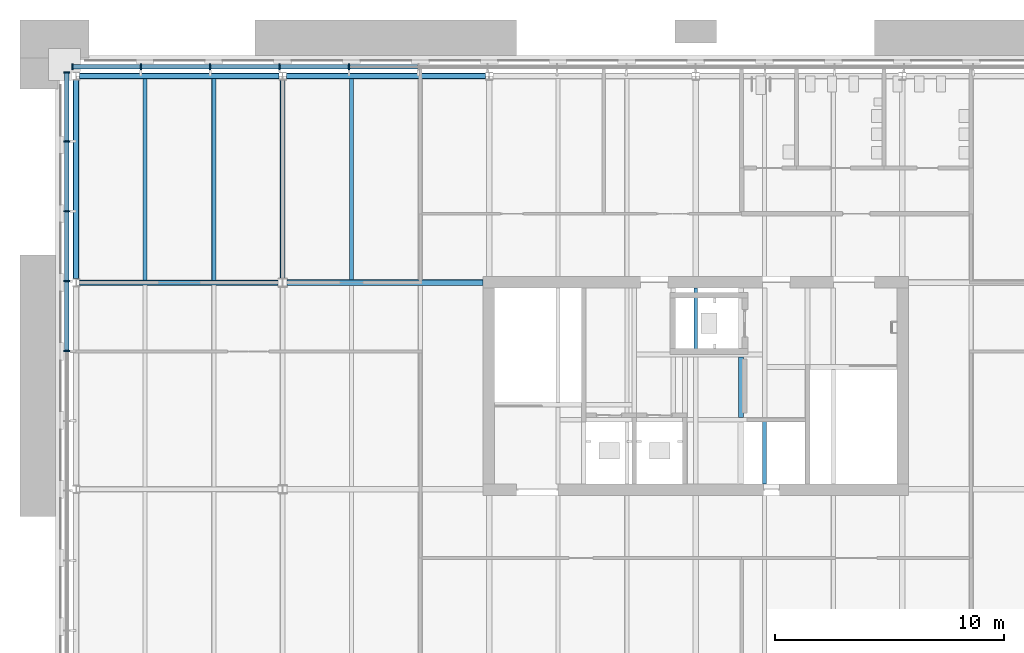
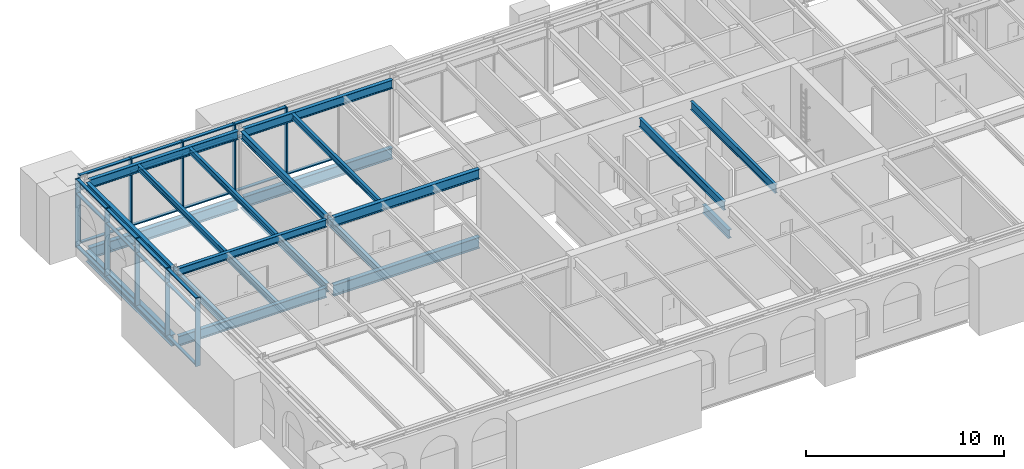
# One storey, part 5 of 24: 35 members, 21 beams, 2 elements without a shape of their own.
"""IFC4 building model written with IfcOpenShell, lengths in metres."""

from ifc_helpers import new_model, si_unit, direction, frame, origin, origin_2d, place, context, subcontext, project, spatial, rectangle, i_section, extrude, material, material_profile, profile_set, type_object, element, aggregate, save


model = new_model("IFC4")

# Units and contexts
model_context = context("Model", 3, precision=1e-05, world=origin(), true_north=direction((0.0, 1.0)))
body_context = subcontext(model_context, "Body", "Model", "MODEL_VIEW")
ifc_project = project(units=[si_unit("LENGTHUNIT", "METRE"), si_unit("AREAUNIT", "SQUARE_METRE"), si_unit("VOLUMEUNIT", "CUBIC_METRE"), si_unit("PLANEANGLEUNIT", "RADIAN"), si_unit("MASSUNIT", "GRAM", prefix="KILO")], contexts=[model_context])

# Site, building, storey
site_placement = place(None, origin())
site = spatial("IfcSite", under=ifc_project, at=site_placement, CompositionType="ELEMENT")
building_placement = place(site_placement, origin())
building = spatial("IfcBuilding", under=site, at=building_placement, Name="Baradari Gate Terminus", CompositionType="ELEMENT")
storey_placement = place(building_placement, frame((0.0, 0.0, 32.699951171875)))
storey = spatial("IfcBuildingStorey", under=building, at=storey_placement, Name="L07", CompositionType="ELEMENT", Elevation=32.699951171875)

# Beam
ifc_material_1 = material(Name="Steel S355", Category="steel")
ifc_material_profile_1 = material_profile(ifc_material_1, i_section(OverallWidth=0.209228515625, OverallDepth=0.533203125, WebThickness=0.010009765625, FlangeThickness=0.015625, FilletRadius=0.0126953125, at=origin_2d()), Name="UB 533x210x92")
ifc_profile_set_1 = profile_set([ifc_material_profile_1], Name="Steel S355")
beam_type_1 = type_object("IfcBeamType", Name="Core floor trimmer beam B22 UB 533x210x92", PredefinedType="BEAM", material=ifc_profile_set_1)
beam_1_placement = place(storey_placement, frame((37.97802734375, 129.129638671875, -0.396484375), z_axis=(0.0, 1.0, 0.0), x_axis=(-1.0, 0.0, 0.0)))
element("IfcBeam", 1, at=beam_1_placement, inside=storey, type_object=beam_type_1, Name="Core floor trimmer beam B22 37.978:129.13-131.77 L07", PredefinedType="BEAM", context=body_context, shape_type="SweptSolid", body=[
    extrude(i_section(OverallWidth=0.209228515625, OverallDepth=0.533203125, WebThickness=0.010009765625, FlangeThickness=0.015625, FilletRadius=0.0126953125, at=origin_2d()), origin(), (0.0, 0.0, 1.0), 2.640869140625),
])

# Curtain wall, members
ifc_material_2 = material(Name="Aluminium 6063-T6", Category="aluminium")
curtain_wall_type = type_object("IfcCurtainWallType", Name="Curtain wall CW-12 block arcade floors, L06-L07", PredefinedType="NOTDEFINED", material=ifc_material_2)
curtain_wall_1_placement = place(storey_placement, origin())
curtain_wall_1 = element("IfcCurtainWall", 2, at=curtain_wall_1_placement, inside=storey, type_object=curtain_wall_type, Name="Curtain wall CW-12 Operations block N face L07", PredefinedType="NOTDEFINED")
ifc_material_3 = material(Name="Aluminium 6063-T6", Category="aluminium")
ifc_material_profile_2 = material_profile(ifc_material_3, rectangle(XDim=0.27490234375, YDim=0.06494140625, at=origin_2d()), Name="CM-12 65X275")
ifc_profile_set_2 = profile_set([ifc_material_profile_2], Name="Aluminium 6063-T6")
member_type_1 = type_object("IfcMemberType", Name="Curtain wall mullion CM-12 65x275", PredefinedType="MULLION", material=ifc_profile_set_2)
member_1_placement = place(storey_placement, frame((20.888916015625, 144.407470703125, 0.0), z_axis=(0.0, 0.0, 1.0), x_axis=(0.0, -1.0, 0.0)))
member_1 = element("IfcMember", 3, at=member_1_placement, type_object=member_type_1, Name="CW-12 mullion 15", PredefinedType="MULLION", context=body_context, shape_type="SweptSolid", body=[
    extrude(rectangle(XDim=0.27490234375, YDim=0.06494140625, at=origin_2d()), origin(), (0.0, 0.0, 1.0), 4.199951171875),
])
member_2_placement = place(storey_placement, frame((17.86669921875, 144.407470703125, 0.0), z_axis=(0.0, 0.0, 1.0), x_axis=(0.0, -1.0, 0.0)))
member_2 = element("IfcMember", 4, at=member_2_placement, type_object=member_type_1, Name="CW-12 mullion 16", PredefinedType="MULLION", context=body_context, shape_type="SweptSolid", body=[
    extrude(rectangle(XDim=0.27490234375, YDim=0.06494140625, at=origin_2d()), origin(), (0.0, 0.0, 1.0), 4.199951171875),
])
member_3_placement = place(storey_placement, frame((14.844482421875, 144.407470703125, 0.0), z_axis=(0.0, 0.0, 1.0), x_axis=(0.0, -1.0, 0.0)))
member_3 = element("IfcMember", 5, at=member_3_placement, type_object=member_type_1, Name="CW-12 mullion 17", PredefinedType="MULLION", context=body_context, shape_type="SweptSolid", body=[
    extrude(rectangle(XDim=0.27490234375, YDim=0.06494140625, at=origin_2d()), origin(), (0.0, 0.0, 1.0), 4.199951171875),
])
member_4_placement = place(storey_placement, frame((11.822265625, 144.407470703125, 0.0), z_axis=(0.0, 0.0, 1.0), x_axis=(0.0, -1.0, 0.0)))
member_4 = element("IfcMember", 6, at=member_4_placement, type_object=member_type_1, Name="CW-12 mullion 18", PredefinedType="MULLION", context=body_context, shape_type="SweptSolid", body=[
    extrude(rectangle(XDim=0.27490234375, YDim=0.06494140625, at=origin_2d()), origin(), (0.0, 0.0, 1.0), 4.199951171875),
])
member_5_placement = place(storey_placement, frame((8.83251953125, 144.407470703125, 0.0), z_axis=(0.0, 0.0, 1.0), x_axis=(0.0, -1.0, 0.0)))
member_5 = element("IfcMember", 7, at=member_5_placement, type_object=member_type_1, Name="CW-12 mullion 19", PredefinedType="MULLION", context=body_context, shape_type="SweptSolid", body=[
    extrude(rectangle(XDim=0.27490234375, YDim=0.06494140625, at=origin_2d()), origin(), (0.0, 0.0, 1.0), 4.199951171875),
])

curtain_wall_2_placement = place(storey_placement, origin())
curtain_wall_2 = element("IfcCurtainWall", 8, at=curtain_wall_2_placement, inside=storey, type_object=curtain_wall_type, Name="Curtain wall CW-12 Operations block W face L07", PredefinedType="NOTDEFINED")
member_6_placement = place(storey_placement, frame((8.592529296875, 144.16748046875, 0.0), z_axis=(0.0, 0.0, 1.0), x_axis=(1.0, 0.0, 0.0)))
member_6 = element("IfcMember", 9, at=member_6_placement, type_object=member_type_1, Name="CW-12 mullion 1", PredefinedType="MULLION", context=body_context, shape_type="SweptSolid", body=[
    extrude(rectangle(XDim=0.27490234375, YDim=0.06494140625, at=origin_2d()), origin(), (0.0, 0.0, 1.0), 4.199951171875),
])
member_7_placement = place(storey_placement, frame((8.592529296875, 141.155517578125, 0.0), z_axis=(0.0, 0.0, 1.0), x_axis=(1.0, 0.0, 0.0)))
member_7 = element("IfcMember", 10, at=member_7_placement, type_object=member_type_1, Name="CW-12 mullion 2", PredefinedType="MULLION", context=body_context, shape_type="SweptSolid", body=[
    extrude(rectangle(XDim=0.27490234375, YDim=0.06494140625, at=origin_2d()), origin(), (0.0, 0.0, 1.0), 4.199951171875),
])
member_8_placement = place(storey_placement, frame((8.592529296875, 138.111083984375, 0.0), z_axis=(0.0, 0.0, 1.0), x_axis=(1.0, 0.0, 0.0)))
member_8 = element("IfcMember", 11, at=member_8_placement, type_object=member_type_1, Name="CW-12 mullion 3", PredefinedType="MULLION", context=body_context, shape_type="SweptSolid", body=[
    extrude(rectangle(XDim=0.27490234375, YDim=0.06494140625, at=origin_2d()), origin(), (0.0, 0.0, 1.0), 4.199951171875),
])
member_9_placement = place(storey_placement, frame((8.592529296875, 135.066650390625, 0.0), z_axis=(0.0, 0.0, 1.0), x_axis=(1.0, 0.0, 0.0)))
member_9 = element("IfcMember", 12, at=member_9_placement, type_object=member_type_1, Name="CW-12 mullion 4", PredefinedType="MULLION", context=body_context, shape_type="SweptSolid", body=[
    extrude(rectangle(XDim=0.27490234375, YDim=0.06494140625, at=origin_2d()), origin(), (0.0, 0.0, 1.0), 4.199951171875),
])
member_10_placement = place(storey_placement, frame((8.592529296875, 132.022216796875, 0.0), z_axis=(0.0, 0.0, 1.0), x_axis=(1.0, 0.0, 0.0)))
member_10 = element("IfcMember", 13, at=member_10_placement, type_object=member_type_1, Name="CW-12 mullion 5", PredefinedType="MULLION", context=body_context, shape_type="SweptSolid", body=[
    extrude(rectangle(XDim=0.27490234375, YDim=0.06494140625, at=origin_2d()), origin(), (0.0, 0.0, 1.0), 4.199951171875),
])

# Member
ifc_material_4 = material(Name="Aluminium 6063-T6", Category="aluminium")
ifc_material_profile_3 = material_profile(ifc_material_4, rectangle(XDim=0.18505859375, YDim=0.06494140625, at=origin_2d()), Name="CT-12 65X185")
ifc_profile_set_3 = profile_set([ifc_material_profile_3], Name="Aluminium 6063-T6")
member_type_2 = type_object("IfcMemberType", Name="Curtain wall transom CT-12 65x185", PredefinedType="USERDEFINED", material=ifc_profile_set_3)
member_11_placement = place(storey_placement, frame((23.878662109375, 144.407470703125, 0.032470703125), z_axis=(-1.0, 0.0, 0.0), x_axis=(0.0, -1.0, 0.0)))
member_11 = element("IfcMember", 14, at=member_11_placement, type_object=member_type_2, Name="CW-12 transom 14.1", ObjectType="TRANSOM", PredefinedType="USERDEFINED", context=body_context, shape_type="SweptSolid", body=[
    extrude(rectangle(XDim=0.18505859375, YDim=0.06494140625, at=origin_2d()), origin(), (0.0, 0.0, 1.0), 2.957275390625),
])

member_12_placement = place(storey_placement, frame((20.8564453125, 144.407470703125, 0.032470703125), z_axis=(-1.0, 0.0, 0.0), x_axis=(0.0, -1.0, 0.0)))
member_12 = element("IfcMember", 15, at=member_12_placement, type_object=member_type_2, Name="CW-12 transom 15.1", ObjectType="TRANSOM", PredefinedType="USERDEFINED", context=body_context, shape_type="SweptSolid", body=[
    extrude(rectangle(XDim=0.18505859375, YDim=0.06494140625, at=origin_2d()), origin(), (0.0, 0.0, 1.0), 2.957275390625),
])

member_13_placement = place(storey_placement, frame((20.8564453125, 144.407470703125, 3.300048828125), z_axis=(-1.0, 0.0, 0.0), x_axis=(0.0, -1.0, 0.0)))
member_13 = element("IfcMember", 16, at=member_13_placement, type_object=member_type_2, Name="CW-12 transom 15.2", ObjectType="TRANSOM", PredefinedType="USERDEFINED", context=body_context, shape_type="SweptSolid", body=[
    extrude(rectangle(XDim=0.18505859375, YDim=0.06494140625, at=origin_2d()), origin(), (0.0, 0.0, 1.0), 2.957275390625),
])

member_14_placement = place(storey_placement, frame((20.8564453125, 144.407470703125, 4.16748046875), z_axis=(-1.0, 0.0, 0.0), x_axis=(0.0, -1.0, 0.0)))
member_14 = element("IfcMember", 17, at=member_14_placement, type_object=member_type_2, Name="CW-12 transom 15.3", ObjectType="TRANSOM", PredefinedType="USERDEFINED", context=body_context, shape_type="SweptSolid", body=[
    extrude(rectangle(XDim=0.18505859375, YDim=0.06494140625, at=origin_2d()), origin(), (0.0, 0.0, 1.0), 2.957275390625),
])

member_15_placement = place(storey_placement, frame((17.834228515625, 144.407470703125, 0.032470703125), z_axis=(-1.0, 0.0, 0.0), x_axis=(0.0, -1.0, 0.0)))
member_15 = element("IfcMember", 18, at=member_15_placement, type_object=member_type_2, Name="CW-12 transom 16.1", ObjectType="TRANSOM", PredefinedType="USERDEFINED", context=body_context, shape_type="SweptSolid", body=[
    extrude(rectangle(XDim=0.18505859375, YDim=0.06494140625, at=origin_2d()), origin(), (0.0, 0.0, 1.0), 2.957275390625),
])

member_16_placement = place(storey_placement, frame((17.834228515625, 144.407470703125, 3.300048828125), z_axis=(-1.0, 0.0, 0.0), x_axis=(0.0, -1.0, 0.0)))
member_16 = element("IfcMember", 19, at=member_16_placement, type_object=member_type_2, Name="CW-12 transom 16.2", ObjectType="TRANSOM", PredefinedType="USERDEFINED", context=body_context, shape_type="SweptSolid", body=[
    extrude(rectangle(XDim=0.18505859375, YDim=0.06494140625, at=origin_2d()), origin(), (0.0, 0.0, 1.0), 2.957275390625),
])

member_17_placement = place(storey_placement, frame((17.834228515625, 144.407470703125, 4.16748046875), z_axis=(-1.0, 0.0, 0.0), x_axis=(0.0, -1.0, 0.0)))
member_17 = element("IfcMember", 20, at=member_17_placement, type_object=member_type_2, Name="CW-12 transom 16.3", ObjectType="TRANSOM", PredefinedType="USERDEFINED", context=body_context, shape_type="SweptSolid", body=[
    extrude(rectangle(XDim=0.18505859375, YDim=0.06494140625, at=origin_2d()), origin(), (0.0, 0.0, 1.0), 2.957275390625),
])

member_18_placement = place(storey_placement, frame((14.81201171875, 144.407470703125, 0.032470703125), z_axis=(-1.0, 0.0, 0.0), x_axis=(0.0, -1.0, 0.0)))
member_18 = element("IfcMember", 21, at=member_18_placement, type_object=member_type_2, Name="CW-12 transom 17.1", ObjectType="TRANSOM", PredefinedType="USERDEFINED", context=body_context, shape_type="SweptSolid", body=[
    extrude(rectangle(XDim=0.18505859375, YDim=0.06494140625, at=origin_2d()), origin(), (0.0, 0.0, 1.0), 2.957275390625),
])

member_19_placement = place(storey_placement, frame((14.81201171875, 144.407470703125, 3.300048828125), z_axis=(-1.0, 0.0, 0.0), x_axis=(0.0, -1.0, 0.0)))
member_19 = element("IfcMember", 22, at=member_19_placement, type_object=member_type_2, Name="CW-12 transom 17.2", ObjectType="TRANSOM", PredefinedType="USERDEFINED", context=body_context, shape_type="SweptSolid", body=[
    extrude(rectangle(XDim=0.18505859375, YDim=0.06494140625, at=origin_2d()), origin(), (0.0, 0.0, 1.0), 2.957275390625),
])

member_20_placement = place(storey_placement, frame((14.81201171875, 144.407470703125, 4.16748046875), z_axis=(-1.0, 0.0, 0.0), x_axis=(0.0, -1.0, 0.0)))
member_20 = element("IfcMember", 23, at=member_20_placement, type_object=member_type_2, Name="CW-12 transom 17.3", ObjectType="TRANSOM", PredefinedType="USERDEFINED", context=body_context, shape_type="SweptSolid", body=[
    extrude(rectangle(XDim=0.18505859375, YDim=0.06494140625, at=origin_2d()), origin(), (0.0, 0.0, 1.0), 2.957275390625),
])

member_21_placement = place(storey_placement, frame((11.789794921875, 144.407470703125, 0.032470703125), z_axis=(-1.0, 0.0, 0.0), x_axis=(0.0, -1.0, 0.0)))
member_21 = element("IfcMember", 24, at=member_21_placement, type_object=member_type_2, Name="CW-12 transom 18.1", ObjectType="TRANSOM", PredefinedType="USERDEFINED", context=body_context, shape_type="SweptSolid", body=[
    extrude(rectangle(XDim=0.18505859375, YDim=0.06494140625, at=origin_2d()), origin(), (0.0, 0.0, 1.0), 2.9248046875),
])

member_22_placement = place(storey_placement, frame((11.789794921875, 144.407470703125, 3.300048828125), z_axis=(-1.0, 0.0, 0.0), x_axis=(0.0, -1.0, 0.0)))
member_22 = element("IfcMember", 25, at=member_22_placement, type_object=member_type_2, Name="CW-12 transom 18.2", ObjectType="TRANSOM", PredefinedType="USERDEFINED", context=body_context, shape_type="SweptSolid", body=[
    extrude(rectangle(XDim=0.18505859375, YDim=0.06494140625, at=origin_2d()), origin(), (0.0, 0.0, 1.0), 2.9248046875),
])

member_23_placement = place(storey_placement, frame((11.789794921875, 144.407470703125, 4.16748046875), z_axis=(-1.0, 0.0, 0.0), x_axis=(0.0, -1.0, 0.0)))
member_23 = element("IfcMember", 26, at=member_23_placement, type_object=member_type_2, Name="CW-12 transom 18.3", ObjectType="TRANSOM", PredefinedType="USERDEFINED", context=body_context, shape_type="SweptSolid", body=[
    extrude(rectangle(XDim=0.18505859375, YDim=0.06494140625, at=origin_2d()), origin(), (0.0, 0.0, 1.0), 2.9248046875),
])

aggregate(curtain_wall_1, [member_1, member_2, member_3, member_4, member_5, member_11, member_12, member_13, member_14, member_15, member_16, member_17, member_18, member_19, member_20, member_21, member_22, member_23])

member_24_placement = place(storey_placement, frame((8.592529296875, 144.135009765625, 0.032470703125), z_axis=(0.0, -1.0, 0.0), x_axis=(1.0, 0.0, 0.0)))
member_24 = element("IfcMember", 27, at=member_24_placement, type_object=member_type_2, Name="CW-12 transom 1.1", ObjectType="TRANSOM", PredefinedType="USERDEFINED", context=body_context, shape_type="SweptSolid", body=[
    extrude(rectangle(XDim=0.18505859375, YDim=0.06494140625, at=origin_2d()), origin(), (0.0, 0.0, 1.0), 2.947021484375),
])

member_25_placement = place(storey_placement, frame((8.592529296875, 144.135009765625, 3.300048828125), z_axis=(0.0, -1.0, 0.0), x_axis=(1.0, 0.0, 0.0)))
member_25 = element("IfcMember", 28, at=member_25_placement, type_object=member_type_2, Name="CW-12 transom 1.2", ObjectType="TRANSOM", PredefinedType="USERDEFINED", context=body_context, shape_type="SweptSolid", body=[
    extrude(rectangle(XDim=0.18505859375, YDim=0.06494140625, at=origin_2d()), origin(), (0.0, 0.0, 1.0), 2.947021484375),
])

member_26_placement = place(storey_placement, frame((8.592529296875, 144.135009765625, 4.16748046875), z_axis=(0.0, -1.0, 0.0), x_axis=(1.0, 0.0, 0.0)))
member_26 = element("IfcMember", 29, at=member_26_placement, type_object=member_type_2, Name="CW-12 transom 1.3", ObjectType="TRANSOM", PredefinedType="USERDEFINED", context=body_context, shape_type="SweptSolid", body=[
    extrude(rectangle(XDim=0.18505859375, YDim=0.06494140625, at=origin_2d()), origin(), (0.0, 0.0, 1.0), 2.947021484375),
])

member_27_placement = place(storey_placement, frame((8.592529296875, 141.123046875, 0.032470703125), z_axis=(0.0, -1.0, 0.0), x_axis=(1.0, 0.0, 0.0)))
member_27 = element("IfcMember", 30, at=member_27_placement, type_object=member_type_2, Name="CW-12 transom 2.1", ObjectType="TRANSOM", PredefinedType="USERDEFINED", context=body_context, shape_type="SweptSolid", body=[
    extrude(rectangle(XDim=0.18505859375, YDim=0.06494140625, at=origin_2d()), origin(), (0.0, 0.0, 1.0), 2.9794921875),
])

member_28_placement = place(storey_placement, frame((8.592529296875, 141.123046875, 3.300048828125), z_axis=(0.0, -1.0, 0.0), x_axis=(1.0, 0.0, 0.0)))
member_28 = element("IfcMember", 31, at=member_28_placement, type_object=member_type_2, Name="CW-12 transom 2.2", ObjectType="TRANSOM", PredefinedType="USERDEFINED", context=body_context, shape_type="SweptSolid", body=[
    extrude(rectangle(XDim=0.18505859375, YDim=0.06494140625, at=origin_2d()), origin(), (0.0, 0.0, 1.0), 2.9794921875),
])

member_29_placement = place(storey_placement, frame((8.592529296875, 141.123046875, 4.16748046875), z_axis=(0.0, -1.0, 0.0), x_axis=(1.0, 0.0, 0.0)))
member_29 = element("IfcMember", 32, at=member_29_placement, type_object=member_type_2, Name="CW-12 transom 2.3", ObjectType="TRANSOM", PredefinedType="USERDEFINED", context=body_context, shape_type="SweptSolid", body=[
    extrude(rectangle(XDim=0.18505859375, YDim=0.06494140625, at=origin_2d()), origin(), (0.0, 0.0, 1.0), 2.9794921875),
])

member_30_placement = place(storey_placement, frame((8.592529296875, 138.07861328125, 0.032470703125), z_axis=(0.0, -1.0, 0.0), x_axis=(1.0, 0.0, 0.0)))
member_30 = element("IfcMember", 33, at=member_30_placement, type_object=member_type_2, Name="CW-12 transom 3.1", ObjectType="TRANSOM", PredefinedType="USERDEFINED", context=body_context, shape_type="SweptSolid", body=[
    extrude(rectangle(XDim=0.18505859375, YDim=0.06494140625, at=origin_2d()), origin(), (0.0, 0.0, 1.0), 2.9794921875),
])

member_31_placement = place(storey_placement, frame((8.592529296875, 138.07861328125, 3.300048828125), z_axis=(0.0, -1.0, 0.0), x_axis=(1.0, 0.0, 0.0)))
member_31 = element("IfcMember", 34, at=member_31_placement, type_object=member_type_2, Name="CW-12 transom 3.2", ObjectType="TRANSOM", PredefinedType="USERDEFINED", context=body_context, shape_type="SweptSolid", body=[
    extrude(rectangle(XDim=0.18505859375, YDim=0.06494140625, at=origin_2d()), origin(), (0.0, 0.0, 1.0), 2.9794921875),
])

member_32_placement = place(storey_placement, frame((8.592529296875, 138.07861328125, 4.16748046875), z_axis=(0.0, -1.0, 0.0), x_axis=(1.0, 0.0, 0.0)))
member_32 = element("IfcMember", 35, at=member_32_placement, type_object=member_type_2, Name="CW-12 transom 3.3", ObjectType="TRANSOM", PredefinedType="USERDEFINED", context=body_context, shape_type="SweptSolid", body=[
    extrude(rectangle(XDim=0.18505859375, YDim=0.06494140625, at=origin_2d()), origin(), (0.0, 0.0, 1.0), 2.9794921875),
])

member_33_placement = place(storey_placement, frame((8.592529296875, 135.0341796875, 0.032470703125), z_axis=(0.0, -1.0, 0.0), x_axis=(1.0, 0.0, 0.0)))
member_33 = element("IfcMember", 36, at=member_33_placement, type_object=member_type_2, Name="CW-12 transom 4.1", ObjectType="TRANSOM", PredefinedType="USERDEFINED", context=body_context, shape_type="SweptSolid", body=[
    extrude(rectangle(XDim=0.18505859375, YDim=0.06494140625, at=origin_2d()), origin(), (0.0, 0.0, 1.0), 2.9794921875),
])

member_34_placement = place(storey_placement, frame((8.592529296875, 135.0341796875, 3.300048828125), z_axis=(0.0, -1.0, 0.0), x_axis=(1.0, 0.0, 0.0)))
member_34 = element("IfcMember", 37, at=member_34_placement, type_object=member_type_2, Name="CW-12 transom 4.2", ObjectType="TRANSOM", PredefinedType="USERDEFINED", context=body_context, shape_type="SweptSolid", body=[
    extrude(rectangle(XDim=0.18505859375, YDim=0.06494140625, at=origin_2d()), origin(), (0.0, 0.0, 1.0), 2.9794921875),
])

member_35_placement = place(storey_placement, frame((8.592529296875, 135.0341796875, 4.16748046875), z_axis=(0.0, -1.0, 0.0), x_axis=(1.0, 0.0, 0.0)))
member_35 = element("IfcMember", 38, at=member_35_placement, type_object=member_type_2, Name="CW-12 transom 4.3", ObjectType="TRANSOM", PredefinedType="USERDEFINED", context=body_context, shape_type="SweptSolid", body=[
    extrude(rectangle(XDim=0.18505859375, YDim=0.06494140625, at=origin_2d()), origin(), (0.0, 0.0, 1.0), 2.9794921875),
])

aggregate(curtain_wall_2, [member_6, member_7, member_8, member_9, member_10, member_24, member_25, member_26, member_27, member_28, member_29, member_30, member_31, member_32, member_33, member_34, member_35])

# Beams
ifc_material_5 = material(Name="Steel S355", Category="steel")
ifc_material_profile_4 = material_profile(ifc_material_5, i_section(OverallWidth=0.1650390625, OverallDepth=0.524658203125, WebThickness=0.0087890625, FlangeThickness=0.011962890625, FilletRadius=0.0126953125, at=origin_2d()), Name="UB 533x165x66")
ifc_profile_set_4 = profile_set([ifc_material_profile_4], Name="Steel S355")
beam_type_2 = type_object("IfcBeamType", Name="Lift machine room beam B47 UB 533x165x66", PredefinedType="BEAM", material=ifc_profile_set_4)
for number, where, z_axis, x_axis, name in (
    (39, (36.0, 126.22509765625, 3.787841796875), (0.0, 1.0, 0.0), (-1.0, 0.0, 0.0), "Lift machine room beam B47 5:126.225-134.775 L07"),
    (40, (39.0, 126.22509765625, 3.787841796875), (0.0, 1.0, 0.0), (-1.0, 0.0, 0.0), "Lift machine room beam B47 39:126.225-134.775 L07"),
):
    element("IfcBeam", number, at=place(storey_placement, frame(where, z_axis=z_axis, x_axis=x_axis)), inside=storey, type_object=beam_type_2, Name=name, PredefinedType="BEAM", context=body_context, shape_type="SweptSolid", body=[
        extrude(i_section(OverallWidth=0.1650390625, OverallDepth=0.524658203125, WebThickness=0.0087890625, FlangeThickness=0.011962890625, FilletRadius=0.0126953125, at=origin_2d()), origin(), (0.0, 0.0, 1.0), 8.5498046875),
    ])
ifc_material_6 = material(Name="Steel S355", Category="steel")
ifc_material_profile_5 = material_profile(ifc_material_6, i_section(OverallWidth=0.25439453125, OverallDepth=0.6875, WebThickness=0.01318359375, FlangeThickness=0.02099609375, FilletRadius=0.01513671875, at=origin_2d()), Name="UB 686x254x152")
ifc_profile_set_5 = profile_set([ifc_material_profile_5], Name="Steel S355")
beam_type_3 = type_object("IfcBeamType", Name="Operations block coupling beam B26 UB 686x254x152", PredefinedType="BEAM", material=ifc_profile_set_5)
beam_2_placement = place(storey_placement, frame((18.197509765625, 135.0, -0.4736328125), z_axis=(1.0, 0.0, 0.0), x_axis=(0.0, 1.0, 0.0)))
element("IfcBeam", 41, at=beam_2_placement, inside=storey, type_object=beam_type_3, Name="Operations block coupling beam B26 R:18.197-26.725 L07", PredefinedType="BEAM", context=body_context, shape_type="SweptSolid", body=[
    extrude(i_section(OverallWidth=0.25439453125, OverallDepth=0.6875, WebThickness=0.01318359375, FlangeThickness=0.02099609375, FilletRadius=0.01513671875, at=origin_2d()), origin(), (0.0, 0.0, 1.0), 8.527587890625),
])
ifc_material_7 = material(Name="Steel S355", Category="steel")
ifc_material_profile_6 = material_profile(ifc_material_7, i_section(OverallWidth=0.22900390625, OverallDepth=0.6123046875, WebThickness=0.011962890625, FlangeThickness=0.01953125, FilletRadius=0.0126953125, at=origin_2d()), Name="UB 610x229x125")
ifc_profile_set_6 = profile_set([ifc_material_profile_6], Name="Steel S355")
beam_type_4 = type_object("IfcBeamType", Name="Operations block girder B25 UB 610x229x125", PredefinedType="BEAM", material=ifc_profile_set_6)
beam_3_placement = place(storey_placement, frame((9.1572265625, 135.0, -0.43603515625), z_axis=(1.0, 0.0, 0.0), x_axis=(0.0, 1.0, 0.0)))
element("IfcBeam", 42, at=beam_3_placement, inside=storey, type_object=beam_type_4, Name="Operations block girder B25 R:9.157-17.803 L07", PredefinedType="BEAM", context=body_context, shape_type="SweptSolid", body=[
    extrude(i_section(OverallWidth=0.22900390625, OverallDepth=0.6123046875, WebThickness=0.011962890625, FlangeThickness=0.01953125, FilletRadius=0.0126953125, at=origin_2d()), origin(), (0.0, 0.0, 1.0), 8.645263671875),
])
ifc_material_8 = material(Name="Steel S355", Category="steel")
ifc_material_profile_7 = material_profile(ifc_material_8, i_section(OverallWidth=0.210693359375, OverallDepth=0.53955078125, WebThickness=0.01171875, FlangeThickness=0.018798828125, FilletRadius=0.0126953125, at=origin_2d()), Name="UB 533x210x109")
ifc_profile_set_7 = profile_set([ifc_material_profile_7], Name="Steel S355")
beam_type_5 = type_object("IfcBeamType", Name="Operations block girder B29 UB 533x210x109", PredefinedType="BEAM", material=ifc_profile_set_7)
beam_4_placement = place(storey_placement, frame((18.0, 135.1904296875, -0.399658203125), z_axis=(0.0, 1.0, 0.0), x_axis=(-1.0, 0.0, 0.0)))
element("IfcBeam", 43, at=beam_4_placement, inside=storey, type_object=beam_type_5, Name="Operations block girder B29 3:135.19-143.83 L07", PredefinedType="BEAM", context=body_context, shape_type="SweptSolid", body=[
    extrude(i_section(OverallWidth=0.210693359375, OverallDepth=0.53955078125, WebThickness=0.01171875, FlangeThickness=0.018798828125, FilletRadius=0.0126953125, at=origin_2d()), origin(), (0.0, 0.0, 1.0), 8.6396484375),
])
ifc_material_9 = material(Name="Steel S355", Category="steel")
ifc_material_profile_8 = material_profile(ifc_material_9, i_section(OverallWidth=0.25439453125, OverallDepth=0.6875, WebThickness=0.01318359375, FlangeThickness=0.02099609375, FilletRadius=0.01513671875, at=origin_2d()), Name="UB 686x254x152")
ifc_profile_set_8 = profile_set([ifc_material_profile_8], Name="Steel S355")
beam_type_6 = type_object("IfcBeamType", Name="Operations block moment frame beam B32 UB 686x254x152", PredefinedType="BEAM", material=ifc_profile_set_8)
for number, where, z_axis, x_axis, name in (
    (44, (9.1572265625, 144.0, -0.4736328125), (1.0, 0.0, 0.0), (0.0, 1.0, 0.0), "Operations block moment frame beam B32 S:9.157-17.843 L07"),
    (45, (18.1572265625, 144.0, -0.4736328125), (1.0, 0.0, 0.0), (0.0, 1.0, 0.0), "Operations block moment frame beam B32 S:18.157-26.843 L07"),
):
    element("IfcBeam", number, at=place(storey_placement, frame(where, z_axis=z_axis, x_axis=x_axis)), inside=storey, type_object=beam_type_6, Name=name, PredefinedType="BEAM", context=body_context, shape_type="SweptSolid", body=[
        extrude(i_section(OverallWidth=0.25439453125, OverallDepth=0.6875, WebThickness=0.01318359375, FlangeThickness=0.02099609375, FilletRadius=0.01513671875, at=origin_2d()), origin(), (0.0, 0.0, 1.0), 8.685546875),
    ])
beam_5_placement = place(storey_placement, frame((9.0, 135.169921875, -0.4736328125), z_axis=(0.0, 1.0, 0.0), x_axis=(-1.0, 0.0, 0.0)))
element("IfcBeam", 46, at=beam_5_placement, inside=storey, type_object=beam_type_6, Name="Operations block moment frame beam B32 2:135.17-143.83 L07", PredefinedType="BEAM", context=body_context, shape_type="SweptSolid", body=[
    extrude(i_section(OverallWidth=0.25439453125, OverallDepth=0.6875, WebThickness=0.01318359375, FlangeThickness=0.02099609375, FilletRadius=0.01513671875, at=origin_2d()), origin(), (0.0, 0.0, 1.0), 8.66015625),
])
ifc_material_10 = material(Name="Steel S355", Category="steel")
ifc_material_profile_9 = material_profile(ifc_material_10, i_section(OverallWidth=0.2275390625, OverallDepth=0.6025390625, WebThickness=0.010498046875, FlangeThickness=0.014892578125, FilletRadius=0.0126953125, at=origin_2d()), Name="UB 610x229x101")
ifc_profile_set_9 = profile_set([ifc_material_profile_9], Name="Steel S355")
beam_type_7 = type_object("IfcBeamType", Name="Operations block roof coupling beam B45 UB 610x229x101", PredefinedType="BEAM", material=ifc_profile_set_9)
beam_6_placement = place(storey_placement, frame((18.197509765625, 135.0, 3.748779296875), z_axis=(1.0, 0.0, 0.0), x_axis=(0.0, 1.0, 0.0)))
element("IfcBeam", 47, at=beam_6_placement, inside=storey, type_object=beam_type_7, Name="Operations block roof coupling beam B45 R:18.197-26.725 L07", PredefinedType="BEAM", context=body_context, shape_type="SweptSolid", body=[
    extrude(i_section(OverallWidth=0.2275390625, OverallDepth=0.6025390625, WebThickness=0.010498046875, FlangeThickness=0.014892578125, FilletRadius=0.0126953125, at=origin_2d()), origin(), (0.0, 0.0, 1.0), 8.527587890625),
])
ifc_material_11 = material(Name="Steel S355", Category="steel")
ifc_material_profile_10 = material_profile(ifc_material_11, i_section(OverallWidth=0.209228515625, OverallDepth=0.533203125, WebThickness=0.010009765625, FlangeThickness=0.015625, FilletRadius=0.0126953125, at=origin_2d()), Name="UB 533x210x92")
ifc_profile_set_10 = profile_set([ifc_material_profile_10], Name="Steel S355")
beam_type_8 = type_object("IfcBeamType", Name="Operations block roof edge beam B43 UB 533x210x92", PredefinedType="BEAM", material=ifc_profile_set_10)
for number, where, z_axis, x_axis, name in (
    (48, (9.1572265625, 144.0, 3.783447265625), (1.0, 0.0, 0.0), (0.0, 1.0, 0.0), "Operations block roof edge beam B43 S:9.157-17.843 L07"),
    (49, (18.1572265625, 144.0, 3.783447265625), (1.0, 0.0, 0.0), (0.0, 1.0, 0.0), "Operations block roof edge beam B43 S:18.157-26.843 L07"),
):
    element("IfcBeam", number, at=place(storey_placement, frame(where, z_axis=z_axis, x_axis=x_axis)), inside=storey, type_object=beam_type_8, Name=name, PredefinedType="BEAM", context=body_context, shape_type="SweptSolid", body=[
        extrude(i_section(OverallWidth=0.209228515625, OverallDepth=0.533203125, WebThickness=0.010009765625, FlangeThickness=0.015625, FilletRadius=0.0126953125, at=origin_2d()), origin(), (0.0, 0.0, 1.0), 8.685546875),
    ])
beam_7_placement = place(storey_placement, frame((9.0, 135.169921875, 3.783447265625), z_axis=(0.0, 1.0, 0.0), x_axis=(-1.0, 0.0, 0.0)))
element("IfcBeam", 50, at=beam_7_placement, inside=storey, type_object=beam_type_8, Name="Operations block roof edge beam B43 2:135.17-143.83 L07", PredefinedType="BEAM", context=body_context, shape_type="SweptSolid", body=[
    extrude(i_section(OverallWidth=0.209228515625, OverallDepth=0.533203125, WebThickness=0.010009765625, FlangeThickness=0.015625, FilletRadius=0.0126953125, at=origin_2d()), origin(), (0.0, 0.0, 1.0), 8.66015625),
])
ifc_material_12 = material(Name="Steel S355", Category="steel")
ifc_material_profile_11 = material_profile(ifc_material_12, i_section(OverallWidth=0.19140625, OverallDepth=0.4599609375, WebThickness=0.010009765625, FlangeThickness=0.01611328125, FilletRadius=0.01025390625, at=origin_2d()), Name="UB 457x191x82")
ifc_profile_set_11 = profile_set([ifc_material_profile_11], Name="Steel S355")
beam_type_9 = type_object("IfcBeamType", Name="Operations block roof girder B44 UB 457x191x82", PredefinedType="BEAM", material=ifc_profile_set_11)
beam_8_placement = place(storey_placement, frame((9.1572265625, 135.0, 3.820068359375), z_axis=(1.0, 0.0, 0.0), x_axis=(0.0, 1.0, 0.0)))
element("IfcBeam", 51, at=beam_8_placement, inside=storey, type_object=beam_type_9, Name="Operations block roof girder B44 R:9.157-17.803 L07", PredefinedType="BEAM", context=body_context, shape_type="SweptSolid", body=[
    extrude(i_section(OverallWidth=0.19140625, OverallDepth=0.4599609375, WebThickness=0.010009765625, FlangeThickness=0.01611328125, FilletRadius=0.01025390625, at=origin_2d()), origin(), (0.0, 0.0, 1.0), 8.645263671875),
])
beam_9_placement = place(storey_placement, frame((18.0, 135.1904296875, 3.820068359375), z_axis=(0.0, 1.0, 0.0), x_axis=(-1.0, 0.0, 0.0)))
element("IfcBeam", 52, at=beam_9_placement, inside=storey, type_object=beam_type_9, Name="Operations block roof girder B44 3:135.19-143.83 L07", PredefinedType="BEAM", context=body_context, shape_type="SweptSolid", body=[
    extrude(i_section(OverallWidth=0.19140625, OverallDepth=0.4599609375, WebThickness=0.010009765625, FlangeThickness=0.01611328125, FilletRadius=0.01025390625, at=origin_2d()), origin(), (0.0, 0.0, 1.0), 8.6396484375),
])
ifc_material_13 = material(Name="Steel S355", Category="steel")
ifc_material_profile_12 = material_profile(ifc_material_13, i_section(OverallWidth=0.17138671875, OverallDepth=0.35498046875, WebThickness=0.00732421875, FlangeThickness=0.011474609375, FilletRadius=0.01025390625, at=origin_2d()), Name="UB 356x171x51")
ifc_profile_set_12 = profile_set([ifc_material_profile_12], Name="Steel S355")
beam_type_10 = type_object("IfcBeamType", Name="Operations block roof secondary beam B46 UB 356x171x51", PredefinedType="BEAM", material=ifc_profile_set_12)
for number, where, z_axis, x_axis, name in (
    (53, (12.0, 135.095703125, 3.87255859375), (0.0, 1.0, 0.0), (-1.0, 0.0, 0.0), "Operations block roof secondary beam B46 12:135.096-143.895 L07"),
    (54, (15.0, 135.095703125, 3.87255859375), (0.0, 1.0, 0.0), (-1.0, 0.0, 0.0), "Operations block roof secondary beam B46 15:135.096-143.895 L07"),
):
    element("IfcBeam", number, at=place(storey_placement, frame(where, z_axis=z_axis, x_axis=x_axis)), inside=storey, type_object=beam_type_10, Name=name, PredefinedType="BEAM", context=body_context, shape_type="SweptSolid", body=[
        extrude(i_section(OverallWidth=0.17138671875, OverallDepth=0.35498046875, WebThickness=0.00732421875, FlangeThickness=0.011474609375, FilletRadius=0.01025390625, at=origin_2d()), origin(), (0.0, 0.0, 1.0), 8.7998046875),
    ])
beam_10_placement = place(storey_placement, frame((21.0, 135.11376953125, 3.87255859375), z_axis=(0.0, 1.0, 0.0), x_axis=(-1.0, 0.0, 0.0)))
element("IfcBeam", 55, at=beam_10_placement, inside=storey, type_object=beam_type_10, Name="Operations block roof secondary beam B46 21:135.114-143.895 L07", PredefinedType="BEAM", context=body_context, shape_type="SweptSolid", body=[
    extrude(i_section(OverallWidth=0.17138671875, OverallDepth=0.35498046875, WebThickness=0.00732421875, FlangeThickness=0.011474609375, FilletRadius=0.01025390625, at=origin_2d()), origin(), (0.0, 0.0, 1.0), 8.78173828125),
])
ifc_material_14 = material(Name="Steel S355", Category="steel")
ifc_material_profile_13 = material_profile(ifc_material_14, i_section(OverallWidth=0.18994140625, OverallDepth=0.453369140625, WebThickness=0.008544921875, FlangeThickness=0.0126953125, FilletRadius=0.01025390625, at=origin_2d()), Name="UB 457x191x67")
ifc_profile_set_13 = profile_set([ifc_material_profile_13], Name="Steel S355")
beam_type_11 = type_object("IfcBeamType", Name="Operations block secondary beam B28 UB 457x191x67", PredefinedType="BEAM", material=ifc_profile_set_13)
for number, where, z_axis, x_axis, name in (
    (56, (12.0, 135.114501953125, -0.356689453125), (0.0, 1.0, 0.0), (-1.0, 0.0, 0.0), "Operations block secondary beam B28 12:135.114-143.873 L07"),
    (57, (15.0, 135.114501953125, -0.356689453125), (0.0, 1.0, 0.0), (-1.0, 0.0, 0.0), "Operations block secondary beam B28 15:135.114-143.873 L07"),
):
    element("IfcBeam", number, at=place(storey_placement, frame(where, z_axis=z_axis, x_axis=x_axis)), inside=storey, type_object=beam_type_11, Name=name, PredefinedType="BEAM", context=body_context, shape_type="SweptSolid", body=[
        extrude(i_section(OverallWidth=0.18994140625, OverallDepth=0.453369140625, WebThickness=0.008544921875, FlangeThickness=0.0126953125, FilletRadius=0.01025390625, at=origin_2d()), origin(), (0.0, 0.0, 1.0), 8.75830078125),
    ])
beam_11_placement = place(storey_placement, frame((21.0, 135.127197265625, -0.356689453125), z_axis=(0.0, 1.0, 0.0), x_axis=(-1.0, 0.0, 0.0)))
element("IfcBeam", 58, at=beam_11_placement, inside=storey, type_object=beam_type_11, Name="Operations block secondary beam B28 21:135.127-143.873 L07", PredefinedType="BEAM", context=body_context, shape_type="SweptSolid", body=[
    extrude(i_section(OverallWidth=0.18994140625, OverallDepth=0.453369140625, WebThickness=0.008544921875, FlangeThickness=0.0126953125, FilletRadius=0.01025390625, at=origin_2d()), origin(), (0.0, 0.0, 1.0), 8.74560546875),
])

save(model, "model.ifc")
